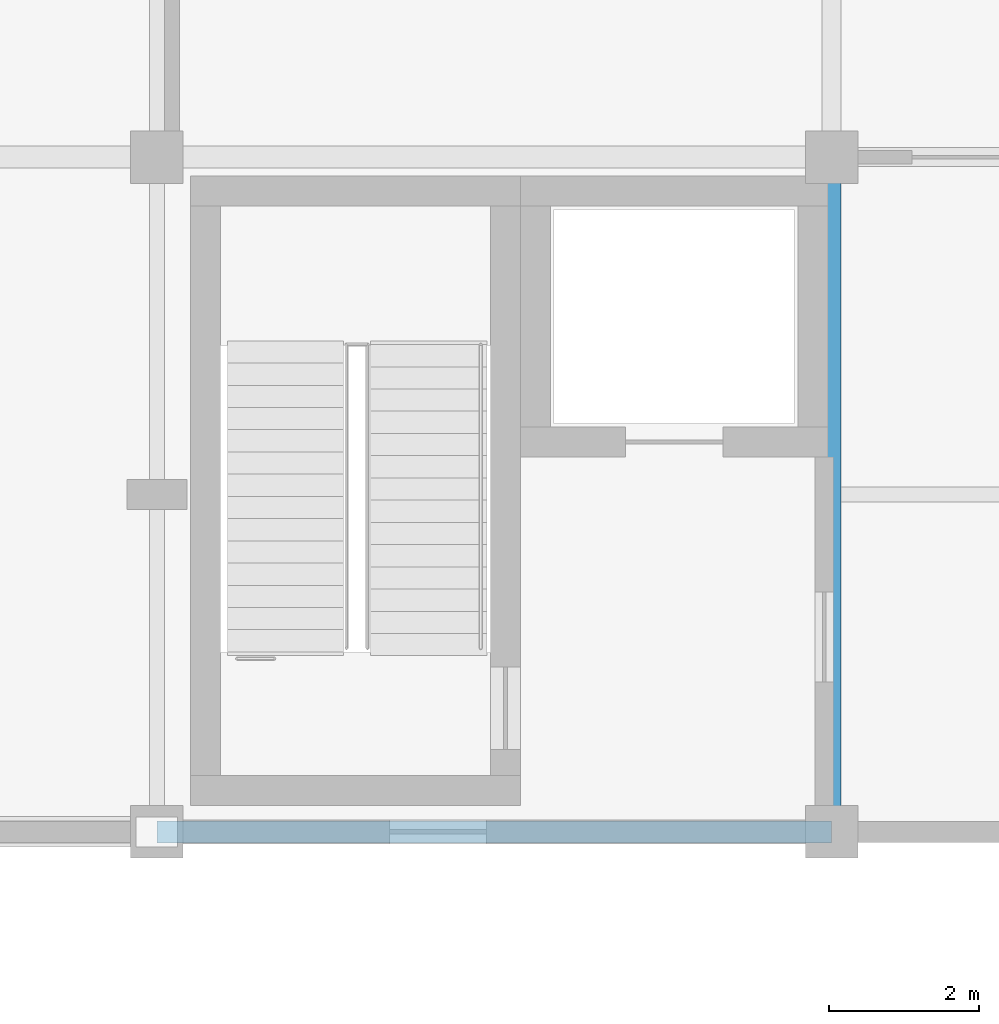
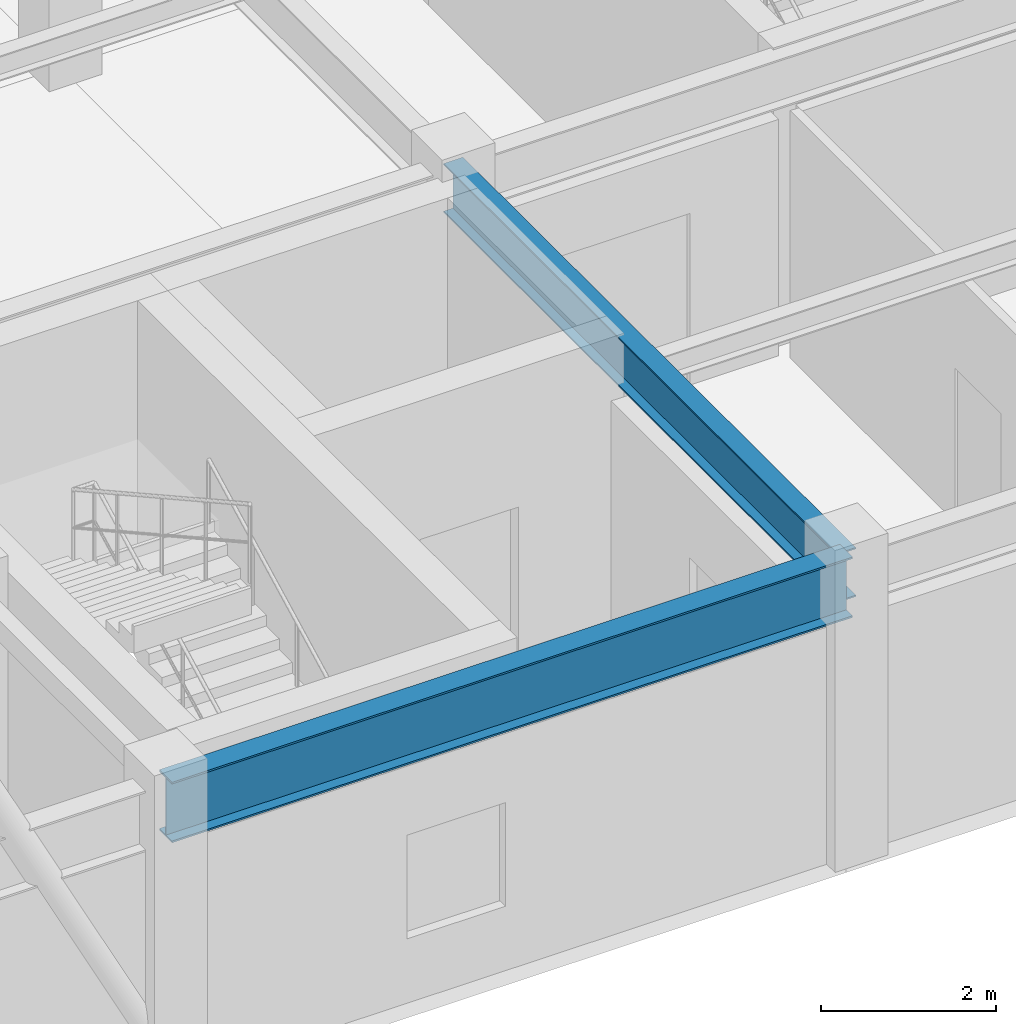
# One storey, part 15 of 55: 2 beams.
"""IFC4 building model written with IfcOpenShell, lengths in metres."""

import ifcopenshell
import ifcopenshell.guid

model = None  # the IFC model being written
_history = None  # IfcOwnerHistory: only IFC2X3 demands one
_inside = {}  # id of a spatial element -> (the spatial element, [elements in it])
_under = {}  # id of a project, library or spatial element -> (it, [spatial elements below it])
_declared = {}  # id of a project -> (the project, [libraries it declares])
_typed = {}  # id of a type object -> (the type object, [elements of that type])
_made_of = {}  # id of a material, layer set ... -> (it, [elements and type objects made of it])


def new_model(schema):
    """Start an empty IFC model of exactly this schema.

    Asked for "IFC4X3", IfcOpenShell would pick the latest addendum, in which some entities
    have other attributes; the version numbers below select the first issue.
    IFC2X3 requires an IfcOwnerHistory on every rooted entity: one is made here for all.
    """
    global model, _history
    if schema == "IFC4X3":
        model = ifcopenshell.file(schema_version=(4, 3, 0, 0))
    else:
        model = ifcopenshell.file(schema=schema)
    _inside.clear()
    _under.clear()
    _declared.clear()
    _typed.clear()
    _made_of.clear()
    _history = None
    if model.schema == "IFC2X3":
        org = make("IfcOrganization", Name="unknown")
        user = make(
            "IfcPersonAndOrganization",
            ThePerson=make("IfcPerson", FamilyName="unknown"),
            TheOrganization=org,
        )
        app = make(
            "IfcApplication",
            ApplicationDeveloper=org,
            Version="unknown",
            ApplicationFullName="unknown",
            ApplicationIdentifier="unknown",
        )
        _history = make(
            "IfcOwnerHistory",
            OwningUser=user,
            OwningApplication=app,
            ChangeAction="ADDED",
            CreationDate=0,
        )
    return model


def make(cls, **values):
    """One entity of the class cls with the attributes given. An attribute that is None is left unset."""
    return model.create_entity(
        cls, **{name: value for name, value in values.items() if value is not None}
    )


def rooted(cls, **values):
    """An entity with a GlobalId (a new one), such as an element, a storey or a relation."""
    return make(cls, GlobalId=ifcopenshell.guid.new(), OwnerHistory=_history, **values)


def si_unit(unit_type, name, prefix=None):
    """IfcSIUnit, for example si_unit("LENGTHUNIT", "METRE", prefix="MILLI")."""
    return make("IfcSIUnit", UnitType=unit_type, Prefix=prefix, Name=name)


def assignment(units):
    """IfcUnitAssignment: the units of a project."""
    return None if units is None else make("IfcUnitAssignment", Units=units)


def point(xyz):
    """IfcCartesianPoint."""
    return None if xyz is None else make("IfcCartesianPoint", Coordinates=xyz)


def direction(xyz):
    """IfcDirection."""
    return None if xyz is None else make("IfcDirection", DirectionRatios=xyz)


def frame(location, z_axis=None, x_axis=None):
    """IfcAxis2Placement3D, a coordinate frame: its origin and axes. An axis left out is left unset."""
    return make(
        "IfcAxis2Placement3D",
        Location=point(location),
        Axis=direction(z_axis),
        RefDirection=direction(x_axis),
    )


def frame_2d(location, x_axis=None):
    """IfcAxis2Placement2D, a coordinate frame in the plane: its origin and x axis."""
    return make(
        "IfcAxis2Placement2D", Location=point(location), RefDirection=direction(x_axis)
    )


def origin():
    """The frame at (0, 0, 0) with its axes left unset."""
    return frame((0.0, 0.0, 0.0))


def origin_2d():
    """The frame at (0, 0) in the plane with its x axis left unset."""
    return frame_2d((0.0, 0.0))


def place(relative_to, where):
    """IfcLocalPlacement: puts the frame where relative to a parent placement (None: the world)."""
    return make(
        "IfcLocalPlacement", PlacementRelTo=relative_to, RelativePlacement=where
    )


def context(
    kind, dimensions, precision=None, world=None, true_north=None, identifier=None
):
    """IfcGeometricRepresentationContext, for example the 3D "Model" context."""
    return make(
        "IfcGeometricRepresentationContext",
        ContextIdentifier=identifier,
        ContextType=kind,
        CoordinateSpaceDimension=dimensions,
        Precision=precision,
        WorldCoordinateSystem=world,
        TrueNorth=true_north,
    )


def subcontext(parent, identifier, kind, view, scale=None):
    """IfcGeometricRepresentationSubContext, for example "Body" below "Model"."""
    return make(
        "IfcGeometricRepresentationSubContext",
        ContextIdentifier=identifier,
        ContextType=kind,
        ParentContext=parent,
        TargetScale=scale,
        TargetView=view,
    )


def project(units=None, contexts=None):
    """IfcProject with its units and contexts."""
    return rooted(
        "IfcProject",
        Name="project",
        RepresentationContexts=contexts,
        UnitsInContext=assignment(units),
    )


def spatial(cls, under=None, at=None, **own):
    """A site, building, storey or space (cls), placed at a placement, below another one or the project."""
    s = rooted(cls, ObjectPlacement=at, **own)
    if under is not None:
        _under.setdefault(under.id(), (under, []))[1].append(s)
    return s


def profile(cls, at=None, kind="AREA", **sizes):
    """A parametric profile (cls). Its sizes go by their IFC names, for example OverallWidth=200.0."""
    return make(cls, ProfileType=kind, Position=at, **sizes)


def i_section(**sizes):
    """IfcIShapeProfileDef."""
    return profile("IfcIShapeProfileDef", **sizes)


def extrude(swept, where, along, depth):
    """IfcExtrudedAreaSolid: the profile swept, set in the frame where, extruded along a direction by depth."""
    return make(
        "IfcExtrudedAreaSolid",
        SweptArea=swept,
        Position=where,
        ExtrudedDirection=direction(along),
        Depth=depth,
    )


def shape(context_of_items, identifier, shape_type, items):
    """IfcShapeRepresentation: the items that make up one representation, for example the "Body"."""
    return make(
        "IfcShapeRepresentation",
        ContextOfItems=context_of_items,
        RepresentationIdentifier=identifier,
        RepresentationType=shape_type,
        Items=items,
    )


def material(Name=None, Category=None):
    """IfcMaterial."""
    return make("IfcMaterial", Name=Name, Category=Category)


def material_profile(
    of_material, cross_section, Name=None, Category=None, Priority=None
):
    """IfcMaterialProfile: a cross section and its material."""
    return make(
        "IfcMaterialProfile",
        Name=Name,
        Material=of_material,
        Profile=cross_section,
        Priority=Priority,
        Category=Category,
    )


def profile_set(profiles, Name=None, composite=None):
    """IfcMaterialProfileSet."""
    return make(
        "IfcMaterialProfileSet",
        Name=Name,
        MaterialProfiles=profiles,
        CompositeProfile=composite,
    )


def made_of(thing, what):
    """Note that an element or type object is made of a material, layer set ...; save() writes the relation."""
    if what is not None:
        _made_of.setdefault(what.id(), (what, []))[1].append(thing)
    return thing


def type_object(cls, material=None, **own):
    """A type object (cls), such as IfcWallType, which elements share."""
    return made_of(rooted(cls, **own), material)


def element(
    cls,
    number,
    at=None,
    inside=None,
    cuts=None,
    type_object=None,
    material=None,
    context=None,
    identifier="Body",
    shape_type=None,
    held_by="IfcProductDefinitionShape",
    body=None,
    shapes=None,
    **own,
):
    """One element of the class cls, such as IfcWall. Its Tag is "e" and its number.

    at: its placement. inside: the storey or other place that contains it. cuts: it is an
    opening in that element (IfcRelVoidsElement). A single representation is given by context,
    identifier, shape_type and body (its items); several are given by shapes. held_by: the class
    of the entity that holds the representations. save() writes the other relations.
    """
    e = rooted(cls, Tag="e%d" % number, ObjectPlacement=at, **own)
    if body is not None:
        shapes = [shape(context, identifier, shape_type, body)]
    if shapes is not None:
        e.Representation = make(held_by, Representations=shapes)
    if inside is not None:
        _inside.setdefault(inside.id(), (inside, []))[1].append(e)
    if cuts is not None:
        rooted(
            "IfcRelVoidsElement", RelatingBuildingElement=cuts, RelatedOpeningElement=e
        )
    if type_object is not None:
        _typed.setdefault(type_object.id(), (type_object, []))[1].append(e)
    return made_of(e, material)


def aggregate(whole, parts):
    """IfcRelAggregates: a whole, such as a stair, and the parts it consists of."""
    return rooted("IfcRelAggregates", RelatingObject=whole, RelatedObjects=parts)


def save(model, path):
    """Write the relations noted so far, then the file.

    IfcRelAggregates (storeys below a building ...), IfcRelContainedInSpatialStructure (elements
    in a storey), IfcRelDefinesByType, IfcRelAssociatesMaterial and IfcRelDeclares: one each for
    every whole, place, type object, material and project.
    """
    for whole, parts in _under.values():
        aggregate(whole, parts)
    for where, things in _inside.values():
        rooted(
            "IfcRelContainedInSpatialStructure",
            RelatedElements=things,
            RelatingStructure=where,
        )
    for kind, things in _typed.values():
        rooted("IfcRelDefinesByType", RelatedObjects=things, RelatingType=kind)
    for what, things in _made_of.values():
        rooted("IfcRelAssociatesMaterial", RelatedObjects=things, RelatingMaterial=what)
    for by, libraries in _declared.values():
        rooted("IfcRelDeclares", RelatingContext=by, RelatedDefinitions=libraries)
    model.write(path)


model = new_model("IFC4")

# Units and contexts
model_context = context("Model", 3, precision=1e-05, world=origin(), true_north=direction((0.0, 1.0)))
body_context = subcontext(model_context, "Body", "Model", "MODEL_VIEW")
ifc_project = project(units=[si_unit("LENGTHUNIT", "METRE"), si_unit("AREAUNIT", "SQUARE_METRE"), si_unit("VOLUMEUNIT", "CUBIC_METRE"), si_unit("PLANEANGLEUNIT", "RADIAN"), si_unit("MASSUNIT", "GRAM", prefix="KILO")], contexts=[model_context])

# Site, building, storey
site_placement = place(None, origin())
site = spatial("IfcSite", under=ifc_project, at=site_placement, CompositionType="ELEMENT")
building_placement = place(site_placement, origin())
building = spatial("IfcBuilding", under=site, at=building_placement, Name="Ventoquebrada Cableway Terminal", CompositionType="ELEMENT")
storey_placement = place(building_placement, frame((0.0, 0.0, 14.39990234375)))
storey = spatial("IfcBuildingStorey", under=building, at=storey_placement, Name="L03", CompositionType="ELEMENT", Elevation=14.39990234375)

# Beams
ifc_material = material(Name="Steel ASTM A992 Grade 50", Category="steel")
ifc_material_profile_1 = material_profile(ifc_material, i_section(OverallWidth=0.25390625, OverallDepth=0.68798828125, WebThickness=0.01318359375, FlangeThickness=0.02099609375, at=origin_2d()), Name="W27X102")
ifc_profile_set_1 = profile_set([ifc_material_profile_1], Name="Steel ASTM A992 Grade 50")
beam_type_1 = type_object("IfcBeamType", Name="BM-ST04", PredefinedType="BEAM", material=ifc_profile_set_1)
beam_1_placement = place(storey_placement, frame((17.199951171875, 77.0, 3.821044921875), z_axis=(0.0, 1.0, 0.0), x_axis=(-1.0, 0.0, 0.0)))
element("IfcBeam", 1, at=beam_1_placement, inside=storey, type_object=beam_type_1, Name="Primary frame girder FBM-0515", PredefinedType="BEAM", context=body_context, shape_type="SweptSolid", body=[
    extrude(i_section(OverallWidth=0.25390625, OverallDepth=0.68798828125, WebThickness=0.01318359375, FlangeThickness=0.02099609375, at=origin_2d()), origin(), (0.0, 0.0, 1.0), 9.0),
])
ifc_material_profile_2 = material_profile(ifc_material, i_section(OverallWidth=0.2919921875, OverallDepth=0.845947265625, WebThickness=0.015380859375, FlangeThickness=0.0244140625, at=origin_2d()), Name="W33X141")
ifc_profile_set_2 = profile_set([ifc_material_profile_2], Name="Steel ASTM A992 Grade 50")
beam_type_2 = type_object("IfcBeamType", Name="BM-ST06", PredefinedType="BEAM", material=ifc_profile_set_2)
beam_2_placement = place(storey_placement, frame((8.199951171875, 77.0, 3.7421875), z_axis=(1.0, 0.0, 0.0), x_axis=(0.0, 1.0, 0.0)))
element("IfcBeam", 2, at=beam_2_placement, inside=storey, type_object=beam_type_2, Name="Primary frame girder FBM-0489", PredefinedType="BEAM", context=body_context, shape_type="SweptSolid", body=[
    extrude(i_section(OverallWidth=0.2919921875, OverallDepth=0.845947265625, WebThickness=0.015380859375, FlangeThickness=0.0244140625, at=origin_2d()), origin(), (0.0, 0.0, 1.0), 9.0),
])

save(model, "model.ifc")
